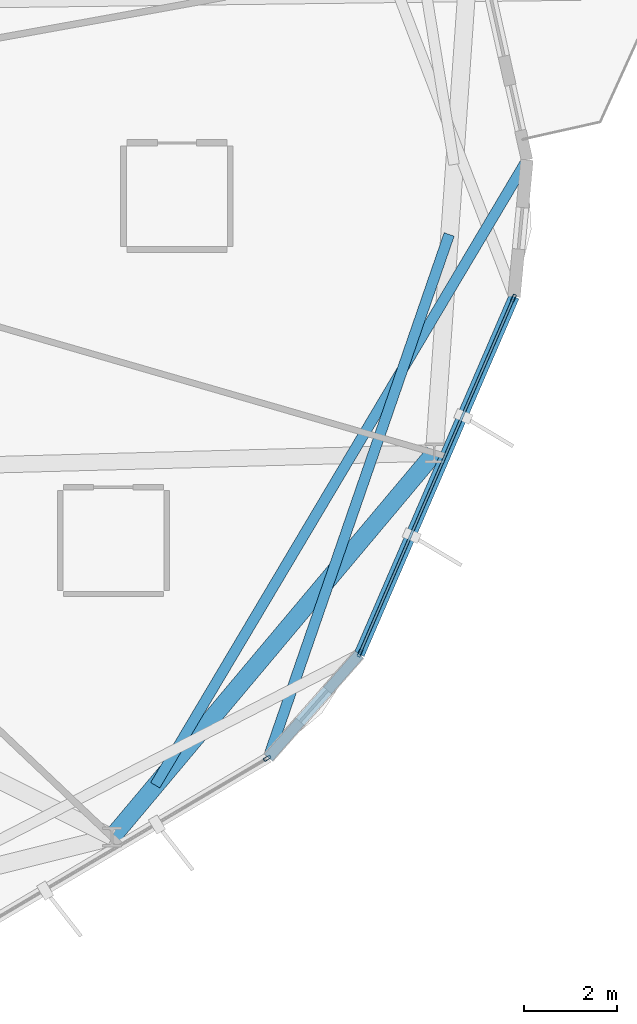
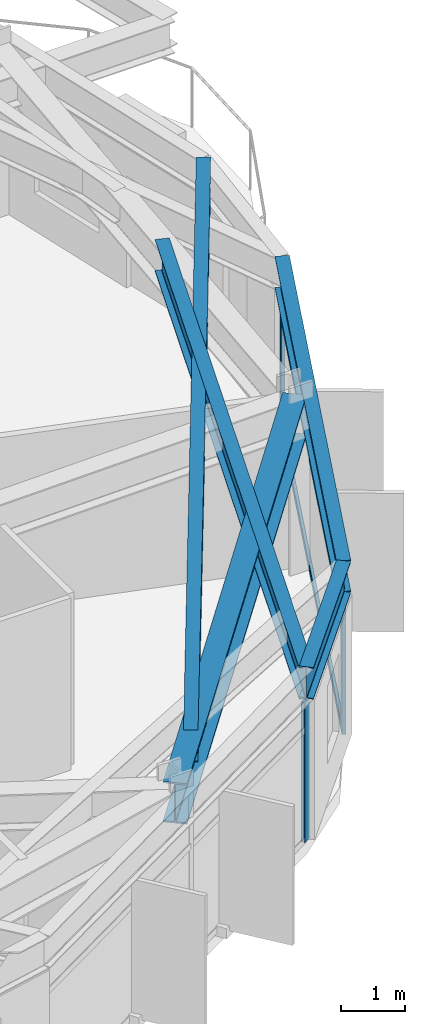
# One storey, part 8 of 21: 6 members, 5 beams, 2 elements without a shape of their own.
"""IFC4 building model written with IfcOpenShell, lengths in metres."""

from ifc_helpers import new_model, si_unit, direction, frame, origin, origin_2d, place, context, subcontext, project, spatial, hollow_rectangle, i_section, extrude, material, layer, layer_set, material_profile, profile_set, type_object, element, aggregate, save


model = new_model("IFC4")

# Units and contexts
model_context = context("Model", 3, precision=1e-05, world=origin(), true_north=direction((0.0, 1.0)))
body_context = subcontext(model_context, "Body", "Model", "MODEL_VIEW")
ifc_project = project(units=[si_unit("LENGTHUNIT", "METRE"), si_unit("AREAUNIT", "SQUARE_METRE"), si_unit("VOLUMEUNIT", "CUBIC_METRE"), si_unit("PLANEANGLEUNIT", "RADIAN"), si_unit("MASSUNIT", "GRAM", prefix="KILO")], contexts=[model_context])

# Site, building, storey
site_placement = place(None, origin())
site = spatial("IfcSite", under=ifc_project, at=site_placement, CompositionType="ELEMENT")
building_placement = place(site_placement, origin())
building = spatial("IfcBuilding", under=site, at=building_placement, Name="Soratama Intermodal Tower", CompositionType="ELEMENT")
storey_placement = place(building_placement, frame((0.0, 0.0, 146.199951171875)))
storey = spatial("IfcBuildingStorey", under=building, at=storey_placement, Name="L35", CompositionType="ELEMENT", Elevation=146.199951171875)

# Beams
ifc_material_1 = material(Name="Structural steel ASTM A992 Grade 50", Category="steel")
ifc_material_profile_1 = material_profile(ifc_material_1, i_section(OverallWidth=0.382080078125, OverallDepth=0.779052734375, WebThickness=0.01806640625, FlangeThickness=0.030029296875, FilletRadius=0.01806640625, at=origin_2d()), Name="W30X191")
ifc_profile_set_1 = profile_set([ifc_material_profile_1], Name="Structural steel ASTM A992 Grade 50")
beam_type_1 = type_object("IfcBeamType", Name="BM-RING-W30X191", PredefinedType="BEAM", material=ifc_profile_set_1)
beam_1_placement = place(storey_placement, frame((54.27392578125, 10.158935546875, 2.91064453125), z_axis=(0.642791781199, 0.766040942785, 0.0), x_axis=(-0.766040942785, 0.642791781199, 0.0)))
element("IfcBeam", 1, at=beam_1_placement, inside=storey, type_object=beam_type_1, Name="BM-L35-RING-09", PredefinedType="BEAM", context=body_context, shape_type="SweptSolid", body=[
    extrude(i_section(OverallWidth=0.382080078125, OverallDepth=0.779052734375, WebThickness=0.01806640625, FlangeThickness=0.030029296875, FilletRadius=0.01806640625, at=origin_2d()), origin(), (0.0, 0.0, 1.0), 10.815673828125),
])
ifc_material_2 = material(Name="Structural steel ASTM A992 Grade 50", Category="steel")
ifc_material_profile_2 = material_profile(ifc_material_2, i_section(OverallWidth=0.22900390625, OverallDepth=0.612060546875, WebThickness=0.011962890625, FlangeThickness=0.01953125, FilletRadius=0.012939453125, at=origin_2d()), Name="W24X84")
ifc_profile_set_2 = profile_set([ifc_material_profile_2], Name="Structural steel ASTM A992 Grade 50")
beam_type_2 = type_object("IfcBeamType", Name="BM-SPN-W24X84", PredefinedType="SPANDREL", material=ifc_profile_set_2)
beam_2_placement = place(storey_placement, frame((57.64501953125, 11.875, 2.994140625), z_axis=(0.661169574551, 0.75023649184, 0.0), x_axis=(-0.75023649184, 0.661169574551, 0.0)))
element("IfcBeam", 2, at=beam_2_placement, inside=storey, type_object=beam_type_2, Name="BS-L35-CRN08", PredefinedType="SPANDREL", context=body_context, shape_type="SweptSolid", body=[
    extrude(i_section(OverallWidth=0.22900390625, OverallDepth=0.612060546875, WebThickness=0.011962890625, FlangeThickness=0.01953125, FilletRadius=0.012939453125, at=origin_2d()), origin(), (0.0, 0.0, 1.0), 2.9658203125),
])
beam_3_placement = place(storey_placement, frame((59.60595703125, 14.10009765625, 2.994140625), z_axis=(0.397152535559, 0.917752615632, 0.0), x_axis=(-0.917752615632, 0.397152535559, 0.0)))
element("IfcBeam", 3, at=beam_3_placement, inside=storey, type_object=beam_type_2, Name="BS-L35-F09", PredefinedType="SPANDREL", context=body_context, shape_type="SweptSolid", body=[
    extrude(i_section(OverallWidth=0.22900390625, OverallDepth=0.612060546875, WebThickness=0.011962890625, FlangeThickness=0.01953125, FilletRadius=0.012939453125, at=origin_2d()), origin(), (0.0, 0.0, 1.0), 8.4052734375),
])
ifc_material_3 = material(Name="Structural steel ASTM A992 Grade 50", Category="steel")
ifc_material_profile_3 = material_profile(ifc_material_3, i_section(OverallWidth=0.22900390625, OverallDepth=0.612060546875, WebThickness=0.011962890625, FlangeThickness=0.01953125, FilletRadius=0.012939453125, at=origin_2d()), Name="W24X84")
ifc_profile_set_3 = profile_set([ifc_material_profile_3], Name="Structural steel ASTM A992 Grade 50")
beam_type_3 = type_object("IfcBeamType", Name="BM-TIE-W24X84", PredefinedType="BEAM", material=ifc_profile_set_3)
beam_4_placement = place(storey_placement, frame((61.544921875, 23.158935546875, 2.994140625), z_axis=(-0.326656104587, -0.945143263922, 0.0), x_axis=(0.945143263922, -0.326656104587, 0.0)))
element("IfcBeam", 4, at=beam_4_placement, inside=storey, type_object=beam_type_3, Name="BM-L35-TIE1-08", PredefinedType="BEAM", context=body_context, shape_type="SweptSolid", body=[
    extrude(i_section(OverallWidth=0.22900390625, OverallDepth=0.612060546875, WebThickness=0.011962890625, FlangeThickness=0.01953125, FilletRadius=0.012939453125, at=origin_2d()), origin(), (0.0, 0.0, 1.0), 11.93896484375),
])
beam_5_placement = place(storey_placement, frame((55.205078125, 11.279052734375, 2.994140625), z_axis=(0.511034384363, 0.859560270137, 0.0), x_axis=(-0.859560270137, 0.511034384363, 0.0)))
element("IfcBeam", 5, at=beam_5_placement, inside=storey, type_object=beam_type_3, Name="BM-L35-TIE0-10", PredefinedType="BEAM", context=body_context, shape_type="SweptSolid", body=[
    extrude(i_section(OverallWidth=0.22900390625, OverallDepth=0.612060546875, WebThickness=0.011962890625, FlangeThickness=0.01953125, FilletRadius=0.012939453125, at=origin_2d()), origin(), (0.0, 0.0, 1.0), 15.69189453125),
])

# Curtain wall, member
ifc_material_4 = material(Name="Double-glazed aluminium curtain wall", Category="aluminium")
ifc_layer = layer(ifc_material_4, 0.159912109375)
ifc_layer_set = layer_set([ifc_layer], Name="Double-glazed aluminium curtain wall")
curtain_wall_type = type_object("IfcCurtainWallType", Name="CW-SYS-4", PredefinedType="NOTDEFINED", material=ifc_layer_set)
curtain_wall_1_placement = place(storey_placement, origin())
curtain_wall_1 = element("IfcCurtainWall", 6, at=curtain_wall_1_placement, inside=storey, type_object=curtain_wall_type, Name="L35 Faceted Curtain Wall F08", PredefinedType="NOTDEFINED")
ifc_material_5 = material(Name="Anodised aluminium AA 6063-T6", Category="aluminium")
ifc_material_profile_4 = material_profile(ifc_material_5, hollow_rectangle(XDim=0.070068359375, YDim=0.159912109375, WallThickness=0.0048828125, InnerFilletRadius=0.0048828125, OuterFilletRadius=0.010009765625, at=origin_2d()), Name="CWM160X70X5")
ifc_profile_set_4 = profile_set([ifc_material_profile_4], Name="Anodised aluminium AA 6063-T6")
member_type_1 = type_object("IfcMemberType", Name="MT-CWM-4", PredefinedType="MULLION", material=ifc_profile_set_4)
member_1_placement = place(storey_placement, frame((57.618896484375, 11.859619140625, 0.0), z_axis=(0.0, 0.0, 1.0), x_axis=(-0.509043939125, 0.860740534679, 0.0)))
member_1 = element("IfcMember", 7, at=member_1_placement, type_object=member_type_1, Name="CW-4 mullion 2", PredefinedType="MULLION", context=body_context, shape_type="SweptSolid", body=[
    extrude(hollow_rectangle(XDim=0.070068359375, YDim=0.159912109375, WallThickness=0.0048828125, InnerFilletRadius=0.0048828125, OuterFilletRadius=0.010009765625, at=origin_2d()), origin(), (0.0, 0.0, 1.0), 2.678955078125),
])
aggregate(curtain_wall_1, [member_1])

# Curtain wall, members
curtain_wall_2_placement = place(storey_placement, origin())
curtain_wall_2 = element("IfcCurtainWall", 8, at=curtain_wall_2_placement, inside=storey, type_object=curtain_wall_type, Name="L35 Faceted Curtain Wall F09", PredefinedType="NOTDEFINED")
member_2_placement = place(storey_placement, frame((59.618408203125, 14.127685546875, 0.0), z_axis=(0.0, 0.0, 1.0), x_axis=(-0.917757198874, 0.397141944292, 0.0)))
member_2 = element("IfcMember", 9, at=member_2_placement, type_object=member_type_1, Name="CW-4 mullion 1", PredefinedType="MULLION", context=body_context, shape_type="SweptSolid", body=[
    extrude(hollow_rectangle(XDim=0.070068359375, YDim=0.159912109375, WallThickness=0.0048828125, InnerFilletRadius=0.0048828125, OuterFilletRadius=0.010009765625, at=origin_2d()), origin(), (0.0, 0.0, 1.0), 2.678955078125),
])
member_3_placement = place(storey_placement, frame((62.932373046875, 21.786376953125, 0.0), z_axis=(0.0, 0.0, 1.0), x_axis=(-0.917757198874, 0.397141944292, 0.0)))
member_3 = element("IfcMember", 10, at=member_3_placement, type_object=member_type_1, Name="CW-4 mullion 2", PredefinedType="MULLION", context=body_context, shape_type="SweptSolid", body=[
    extrude(hollow_rectangle(XDim=0.070068359375, YDim=0.159912109375, WallThickness=0.0048828125, InnerFilletRadius=0.0048828125, OuterFilletRadius=0.010009765625, at=origin_2d()), origin(), (0.0, 0.0, 1.0), 2.678955078125),
])
ifc_material_6 = material(Name="Anodised aluminium AA 6063-T6", Category="aluminium")
ifc_material_profile_5 = material_profile(ifc_material_6, hollow_rectangle(XDim=0.06005859375, YDim=0.1298828125, WallThickness=0.0048828125, InnerFilletRadius=0.0048828125, OuterFilletRadius=0.010009765625, at=origin_2d()), Name="CWT130X60X5")
ifc_profile_set_5 = profile_set([ifc_material_profile_5], Name="Anodised aluminium AA 6063-T6")
member_type_2 = type_object("IfcMemberType", Name="TT-CWT-2", PredefinedType="USERDEFINED", material=ifc_profile_set_5)
member_4_placement = place(storey_placement, frame((59.630126953125, 14.1552734375, 0.030029296875), z_axis=(0.397167441881, 0.917746164857, 0.0), x_axis=(-0.917746164857, 0.397167441881, 0.0)))
member_4 = element("IfcMember", 11, at=member_4_placement, type_object=member_type_2, Name="CW-4 transom 1.1", ObjectType="TRANSOM", PredefinedType="USERDEFINED", context=body_context, shape_type="SweptSolid", body=[
    extrude(hollow_rectangle(XDim=0.06005859375, YDim=0.1298828125, WallThickness=0.0048828125, InnerFilletRadius=0.0048828125, OuterFilletRadius=0.010009765625, at=origin_2d()), origin(), (0.0, 0.0, 1.0), 8.284912109375),
])
member_5_placement = place(storey_placement, frame((59.630126953125, 14.1552734375, 2.150146484375), z_axis=(0.397167441881, 0.917746164857, 0.0), x_axis=(-0.917746164857, 0.397167441881, 0.0)))
member_5 = element("IfcMember", 12, at=member_5_placement, type_object=member_type_2, Name="CW-4 transom 1.2", ObjectType="TRANSOM", PredefinedType="USERDEFINED", context=body_context, shape_type="SweptSolid", body=[
    extrude(hollow_rectangle(XDim=0.06005859375, YDim=0.1298828125, WallThickness=0.0048828125, InnerFilletRadius=0.0048828125, OuterFilletRadius=0.010009765625, at=origin_2d()), origin(), (0.0, 0.0, 1.0), 8.284912109375),
])
member_6_placement = place(storey_placement, frame((59.630126953125, 14.1552734375, 2.649169921875), z_axis=(0.397167441881, 0.917746164857, 0.0), x_axis=(-0.917746164857, 0.397167441881, 0.0)))
member_6 = element("IfcMember", 13, at=member_6_placement, type_object=member_type_2, Name="CW-4 transom 1.3", ObjectType="TRANSOM", PredefinedType="USERDEFINED", context=body_context, shape_type="SweptSolid", body=[
    extrude(hollow_rectangle(XDim=0.06005859375, YDim=0.1298828125, WallThickness=0.0048828125, InnerFilletRadius=0.0048828125, OuterFilletRadius=0.010009765625, at=origin_2d()), origin(), (0.0, 0.0, 1.0), 8.284912109375),
])
aggregate(curtain_wall_2, [member_2, member_3, member_4, member_5, member_6])

save(model, "model.ifc")
